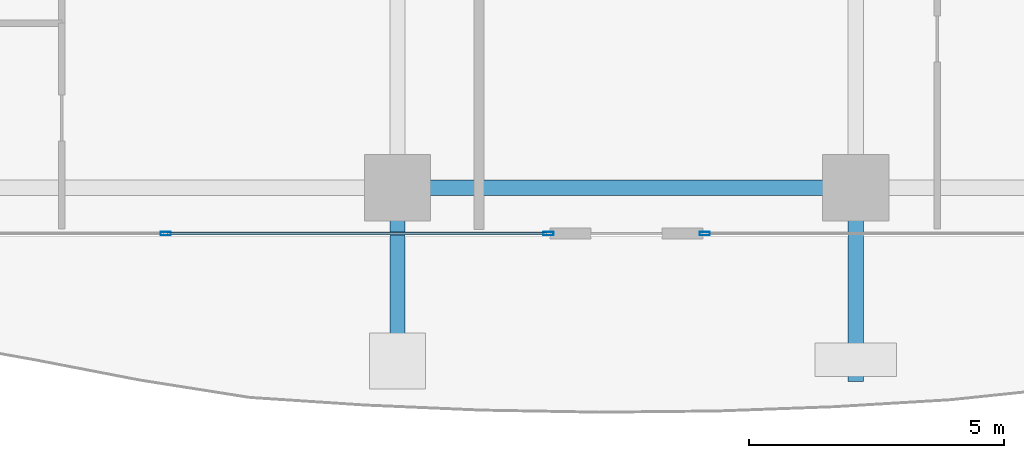
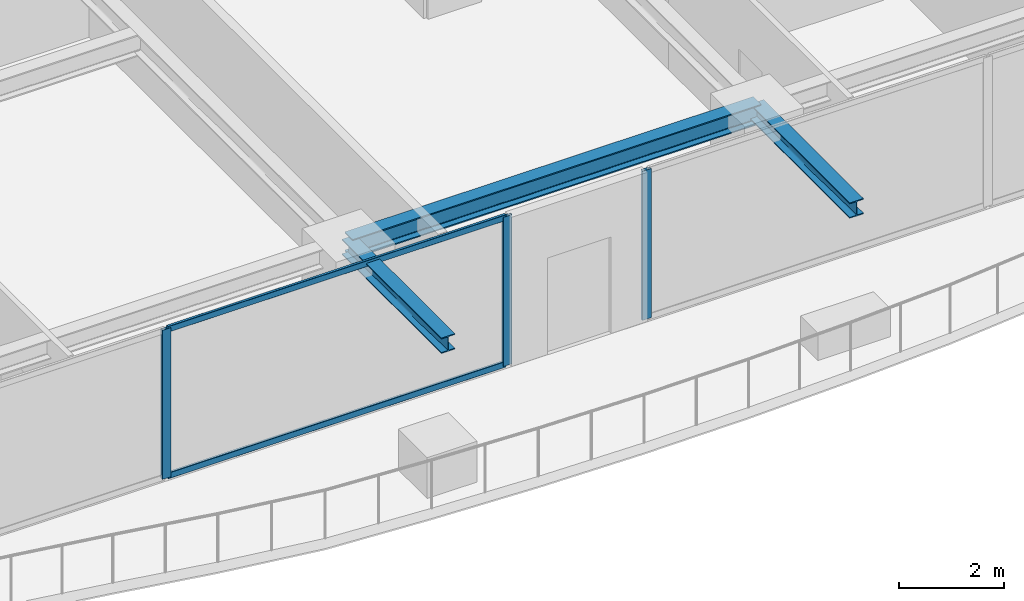
# One storey, part 5 of 34: 5 members, 3 beams, 2 elements without a shape of their own.
"""IFC4 building model written with IfcOpenShell, lengths in metres."""

import ifcopenshell
import ifcopenshell.guid

model = None  # the IFC model being written
_history = None  # IfcOwnerHistory: only IFC2X3 demands one
_inside = {}  # id of a spatial element -> (the spatial element, [elements in it])
_under = {}  # id of a project, library or spatial element -> (it, [spatial elements below it])
_declared = {}  # id of a project -> (the project, [libraries it declares])
_typed = {}  # id of a type object -> (the type object, [elements of that type])
_made_of = {}  # id of a material, layer set ... -> (it, [elements and type objects made of it])


def new_model(schema):
    """Start an empty IFC model of exactly this schema.

    Asked for "IFC4X3", IfcOpenShell would pick the latest addendum, in which some entities
    have other attributes; the version numbers below select the first issue.
    IFC2X3 requires an IfcOwnerHistory on every rooted entity: one is made here for all.
    """
    global model, _history
    if schema == "IFC4X3":
        model = ifcopenshell.file(schema_version=(4, 3, 0, 0))
    else:
        model = ifcopenshell.file(schema=schema)
    _inside.clear()
    _under.clear()
    _declared.clear()
    _typed.clear()
    _made_of.clear()
    _history = None
    if model.schema == "IFC2X3":
        org = make("IfcOrganization", Name="unknown")
        user = make(
            "IfcPersonAndOrganization",
            ThePerson=make("IfcPerson", FamilyName="unknown"),
            TheOrganization=org,
        )
        app = make(
            "IfcApplication",
            ApplicationDeveloper=org,
            Version="unknown",
            ApplicationFullName="unknown",
            ApplicationIdentifier="unknown",
        )
        _history = make(
            "IfcOwnerHistory",
            OwningUser=user,
            OwningApplication=app,
            ChangeAction="ADDED",
            CreationDate=0,
        )
    return model


def make(cls, **values):
    """One entity of the class cls with the attributes given. An attribute that is None is left unset."""
    return model.create_entity(
        cls, **{name: value for name, value in values.items() if value is not None}
    )


def rooted(cls, **values):
    """An entity with a GlobalId (a new one), such as an element, a storey or a relation."""
    return make(cls, GlobalId=ifcopenshell.guid.new(), OwnerHistory=_history, **values)


def si_unit(unit_type, name, prefix=None):
    """IfcSIUnit, for example si_unit("LENGTHUNIT", "METRE", prefix="MILLI")."""
    return make("IfcSIUnit", UnitType=unit_type, Prefix=prefix, Name=name)


def assignment(units):
    """IfcUnitAssignment: the units of a project."""
    return None if units is None else make("IfcUnitAssignment", Units=units)


def point(xyz):
    """IfcCartesianPoint."""
    return None if xyz is None else make("IfcCartesianPoint", Coordinates=xyz)


def direction(xyz):
    """IfcDirection."""
    return None if xyz is None else make("IfcDirection", DirectionRatios=xyz)


def frame(location, z_axis=None, x_axis=None):
    """IfcAxis2Placement3D, a coordinate frame: its origin and axes. An axis left out is left unset."""
    return make(
        "IfcAxis2Placement3D",
        Location=point(location),
        Axis=direction(z_axis),
        RefDirection=direction(x_axis),
    )


def frame_2d(location, x_axis=None):
    """IfcAxis2Placement2D, a coordinate frame in the plane: its origin and x axis."""
    return make(
        "IfcAxis2Placement2D", Location=point(location), RefDirection=direction(x_axis)
    )


def origin():
    """The frame at (0, 0, 0) with its axes left unset."""
    return frame((0.0, 0.0, 0.0))


def origin_2d():
    """The frame at (0, 0) in the plane with its x axis left unset."""
    return frame_2d((0.0, 0.0))


def place(relative_to, where):
    """IfcLocalPlacement: puts the frame where relative to a parent placement (None: the world)."""
    return make(
        "IfcLocalPlacement", PlacementRelTo=relative_to, RelativePlacement=where
    )


def context(
    kind, dimensions, precision=None, world=None, true_north=None, identifier=None
):
    """IfcGeometricRepresentationContext, for example the 3D "Model" context."""
    return make(
        "IfcGeometricRepresentationContext",
        ContextIdentifier=identifier,
        ContextType=kind,
        CoordinateSpaceDimension=dimensions,
        Precision=precision,
        WorldCoordinateSystem=world,
        TrueNorth=true_north,
    )


def subcontext(parent, identifier, kind, view, scale=None):
    """IfcGeometricRepresentationSubContext, for example "Body" below "Model"."""
    return make(
        "IfcGeometricRepresentationSubContext",
        ContextIdentifier=identifier,
        ContextType=kind,
        ParentContext=parent,
        TargetScale=scale,
        TargetView=view,
    )


def project(units=None, contexts=None):
    """IfcProject with its units and contexts."""
    return rooted(
        "IfcProject",
        Name="project",
        RepresentationContexts=contexts,
        UnitsInContext=assignment(units),
    )


def spatial(cls, under=None, at=None, **own):
    """A site, building, storey or space (cls), placed at a placement, below another one or the project."""
    s = rooted(cls, ObjectPlacement=at, **own)
    if under is not None:
        _under.setdefault(under.id(), (under, []))[1].append(s)
    return s


def profile(cls, at=None, kind="AREA", **sizes):
    """A parametric profile (cls). Its sizes go by their IFC names, for example OverallWidth=200.0."""
    return make(cls, ProfileType=kind, Position=at, **sizes)


def hollow_rectangle(**sizes):
    """IfcRectangleHollowProfileDef."""
    return profile("IfcRectangleHollowProfileDef", **sizes)


def i_section(**sizes):
    """IfcIShapeProfileDef."""
    return profile("IfcIShapeProfileDef", **sizes)


def extrude(swept, where, along, depth):
    """IfcExtrudedAreaSolid: the profile swept, set in the frame where, extruded along a direction by depth."""
    return make(
        "IfcExtrudedAreaSolid",
        SweptArea=swept,
        Position=where,
        ExtrudedDirection=direction(along),
        Depth=depth,
    )


def shape(context_of_items, identifier, shape_type, items):
    """IfcShapeRepresentation: the items that make up one representation, for example the "Body"."""
    return make(
        "IfcShapeRepresentation",
        ContextOfItems=context_of_items,
        RepresentationIdentifier=identifier,
        RepresentationType=shape_type,
        Items=items,
    )


def source(mapping_origin, context_of_items, identifier, shape_type, items):
    """IfcRepresentationMap: a shape defined once, which mapped items show again and again."""
    return make(
        "IfcRepresentationMap",
        MappingOrigin=mapping_origin,
        MappedRepresentation=shape(context_of_items, identifier, shape_type, items),
    )


def transform(
    local_origin,
    x_axis=None,
    y_axis=None,
    z_axis=None,
    scale=None,
    scale2=None,
    scale3=None,
    uniform=True,
):
    """IfcCartesianTransformationOperator3D, or its non-uniform kind. x_axis, y_axis, z_axis: its Axis1, 2, 3."""
    if uniform:
        return make(
            "IfcCartesianTransformationOperator3D",
            Axis1=direction(x_axis),
            Axis2=direction(y_axis),
            LocalOrigin=point(local_origin),
            Scale=scale,
            Axis3=direction(z_axis),
        )
    return make(
        "IfcCartesianTransformationOperator3DnonUniform",
        Axis1=direction(x_axis),
        Axis2=direction(y_axis),
        LocalOrigin=point(local_origin),
        Scale=scale,
        Axis3=direction(z_axis),
        Scale2=scale2,
        Scale3=scale3,
    )


def mapped(mapping_source, mapping_target):
    """IfcMappedItem: shows the shape of a source again, moved by a transform."""
    return make(
        "IfcMappedItem", MappingSource=mapping_source, MappingTarget=mapping_target
    )


def material(Name=None, Category=None):
    """IfcMaterial."""
    return make("IfcMaterial", Name=Name, Category=Category)


def layer(
    of_material, thickness, ventilated=None, Name=None, Category=None, Priority=None
):
    """IfcMaterialLayer: one layer of a wall or slab, of a material (None: an air gap)."""
    return make(
        "IfcMaterialLayer",
        Material=of_material,
        LayerThickness=thickness,
        IsVentilated=ventilated,
        Name=Name,
        Category=Category,
        Priority=Priority,
    )


def layer_set(layers, Name=None):
    """IfcMaterialLayerSet."""
    return make("IfcMaterialLayerSet", MaterialLayers=layers, LayerSetName=Name)


def material_profile(
    of_material, cross_section, Name=None, Category=None, Priority=None
):
    """IfcMaterialProfile: a cross section and its material."""
    return make(
        "IfcMaterialProfile",
        Name=Name,
        Material=of_material,
        Profile=cross_section,
        Priority=Priority,
        Category=Category,
    )


def profile_set(profiles, Name=None, composite=None):
    """IfcMaterialProfileSet."""
    return make(
        "IfcMaterialProfileSet",
        Name=Name,
        MaterialProfiles=profiles,
        CompositeProfile=composite,
    )


def made_of(thing, what):
    """Note that an element or type object is made of a material, layer set ...; save() writes the relation."""
    if what is not None:
        _made_of.setdefault(what.id(), (what, []))[1].append(thing)
    return thing


def type_object(cls, material=None, **own):
    """A type object (cls), such as IfcWallType, which elements share."""
    return made_of(rooted(cls, **own), material)


def element(
    cls,
    number,
    at=None,
    inside=None,
    cuts=None,
    type_object=None,
    material=None,
    context=None,
    identifier="Body",
    shape_type=None,
    held_by="IfcProductDefinitionShape",
    body=None,
    shapes=None,
    **own,
):
    """One element of the class cls, such as IfcWall. Its Tag is "e" and its number.

    at: its placement. inside: the storey or other place that contains it. cuts: it is an
    opening in that element (IfcRelVoidsElement). A single representation is given by context,
    identifier, shape_type and body (its items); several are given by shapes. held_by: the class
    of the entity that holds the representations. save() writes the other relations.
    """
    e = rooted(cls, Tag="e%d" % number, ObjectPlacement=at, **own)
    if body is not None:
        shapes = [shape(context, identifier, shape_type, body)]
    if shapes is not None:
        e.Representation = make(held_by, Representations=shapes)
    if inside is not None:
        _inside.setdefault(inside.id(), (inside, []))[1].append(e)
    if cuts is not None:
        rooted(
            "IfcRelVoidsElement", RelatingBuildingElement=cuts, RelatedOpeningElement=e
        )
    if type_object is not None:
        _typed.setdefault(type_object.id(), (type_object, []))[1].append(e)
    return made_of(e, material)


def aggregate(whole, parts):
    """IfcRelAggregates: a whole, such as a stair, and the parts it consists of."""
    return rooted("IfcRelAggregates", RelatingObject=whole, RelatedObjects=parts)


def save(model, path):
    """Write the relations noted so far, then the file.

    IfcRelAggregates (storeys below a building ...), IfcRelContainedInSpatialStructure (elements
    in a storey), IfcRelDefinesByType, IfcRelAssociatesMaterial and IfcRelDeclares: one each for
    every whole, place, type object, material and project.
    """
    for whole, parts in _under.values():
        aggregate(whole, parts)
    for where, things in _inside.values():
        rooted(
            "IfcRelContainedInSpatialStructure",
            RelatedElements=things,
            RelatingStructure=where,
        )
    for kind, things in _typed.values():
        rooted("IfcRelDefinesByType", RelatedObjects=things, RelatingType=kind)
    for what, things in _made_of.values():
        rooted("IfcRelAssociatesMaterial", RelatedObjects=things, RelatingMaterial=what)
    for by, libraries in _declared.values():
        rooted("IfcRelDeclares", RelatingContext=by, RelatedDefinitions=libraries)
    model.write(path)


model = new_model("IFC4")

# Units and contexts
model_context = context("Model", 3, precision=1e-05, world=origin(), true_north=direction((0.0, 1.0)))
body_context = subcontext(model_context, "Body", "Model", "MODEL_VIEW")
ifc_project = project(units=[si_unit("LENGTHUNIT", "METRE"), si_unit("AREAUNIT", "SQUARE_METRE"), si_unit("VOLUMEUNIT", "CUBIC_METRE"), si_unit("PLANEANGLEUNIT", "RADIAN"), si_unit("MASSUNIT", "GRAM", prefix="KILO")], contexts=[model_context])

# Site, building, storey
site_placement = place(None, origin())
site = spatial("IfcSite", under=ifc_project, at=site_placement, CompositionType="ELEMENT")
building_placement = place(site_placement, origin())
building = spatial("IfcBuilding", under=site, at=building_placement, Name="Serunith Strait Residences", CompositionType="ELEMENT")
storey_placement = place(building_placement, frame((0.0, 0.0, 142.64990234375)))
storey = spatial("IfcBuildingStorey", under=building, at=storey_placement, Name="L35", CompositionType="ELEMENT", Elevation=142.64990234375)

# Beams
ifc_material_1 = material(Name="Steel S355J2", Category="steel")
ifc_material_profile_1 = material_profile(ifc_material_1, i_section(OverallWidth=0.300048828125, OverallDepth=0.449951171875, WebThickness=0.013916015625, FlangeThickness=0.02587890625, FilletRadius=0.027099609375, at=origin_2d()), Name="HEB 450")
ifc_profile_set_1 = profile_set([ifc_material_profile_1], Name="Steel S355J2")
beam_type_1 = type_object("IfcBeamType", Name="BM-HEB450", PredefinedType="BEAM", material=ifc_profile_set_1)
shared_shape_1 = source(origin(), body_context, "Body", "SweptSolid", [
    extrude(i_section(OverallWidth=0.300048828125, OverallDepth=0.449951171875, WebThickness=0.013916015625, FlangeThickness=0.02587890625, FilletRadius=0.027099609375, at=origin_2d()), origin(), (0.0, 0.0, 1.0), 9.0),
])
beam_placement = place(storey_placement, frame((27.89990234375, 2.300048828125, 3.26220703125), z_axis=(1.0, 0.0, 0.0), x_axis=(0.0, 1.0, 0.0)))
element("IfcBeam", 1, at=beam_placement, inside=storey, type_object=beam_type_1, Name="L35 Perimeter Ring Beam 02", PredefinedType="BEAM", context=body_context, shape_type="MappedRepresentation", body=[
    mapped(shared_shape_1, transform((0.0, 0.0, 0.0), scale=1.0)),
])
ifc_material_profile_2 = material_profile(ifc_material_1, i_section(OverallWidth=0.300048828125, OverallDepth=0.360107421875, WebThickness=0.012451171875, FlangeThickness=0.0224609375, FilletRadius=0.027099609375, at=origin_2d()), Name="HEB 360")
ifc_profile_set_2 = profile_set([ifc_material_profile_2], Name="Steel S355J2")
beam_type_2 = type_object("IfcBeamType", Name="BM-HEB360", PredefinedType="BEAM", material=ifc_profile_set_2)
shared_shape_2 = source(origin(), body_context, "Body", "SweptSolid", [
    extrude(i_section(OverallWidth=0.300048828125, OverallDepth=0.360107421875, WebThickness=0.012451171875, FlangeThickness=0.0224609375, FilletRadius=0.027099609375, at=origin_2d()), origin(), (0.0, 0.0, 1.0), 3.800048828125),
])
for number, where, z_axis, x_axis, name in (
    (2, (27.89990234375, 2.300048828125, 3.277099609375), (0.0, -1.0, 0.0), (1.0, 0.0, 0.0), "L36 Cantilevered Balcony Rib TC-S2"),
    (3, (36.89990234375, 2.300048828125, 3.277099609375), (0.0, -1.0, 0.0), (1.0, 0.0, 0.0), "L36 Cantilevered Balcony Rib TC-S3"),
):
    element("IfcBeam", number, at=place(storey_placement, frame(where, z_axis=z_axis, x_axis=x_axis)), inside=storey, type_object=beam_type_2, Name=name, PredefinedType="BEAM", context=body_context, shape_type="MappedRepresentation", body=[
        mapped(shared_shape_2, transform((0.0, 0.0, 0.0), scale=1.0)),
    ])

# Curtain wall, members
ifc_material_2 = material(Name="Pale-Champagne Anodised Aluminium", Category="aluminium")
ifc_layer = layer(ifc_material_2, 0.199951171875, Name="Pale-Champagne Anodised Aluminium")
ifc_layer_set = layer_set([ifc_layer], Name="Pale-Champagne Anodised Aluminium")
curtain_wall_type = type_object("IfcCurtainWallType", Name="CW-SYS2", PredefinedType="NOTDEFINED", material=ifc_layer_set)
curtain_wall_1_placement = place(storey_placement, origin())
curtain_wall_1 = element("IfcCurtainWall", 4, at=curtain_wall_1_placement, inside=storey, type_object=curtain_wall_type, Name="L35 S Unitised Fritted Curtain Wall", PredefinedType="NOTDEFINED")
ifc_material_profile_3 = material_profile(ifc_material_2, hollow_rectangle(XDim=0.070068359375, YDim=0.199951171875, WallThickness=0.00390625, InnerFilletRadius=0.006103515625, OuterFilletRadius=0.010009765625, at=origin_2d()), Name="ALU 200x70x4")
ifc_profile_set_3 = profile_set([ifc_material_profile_3], Name="Pale-Champagne Anodised Aluminium")
member_type_1 = type_object("IfcMemberType", Name="CW-SYS2-MULL", PredefinedType="MULLION", material=ifc_profile_set_3)
shared_shape_3 = source(origin(), body_context, "Body", "SweptSolid", [
    extrude(hollow_rectangle(XDim=0.070068359375, YDim=0.199951171875, WallThickness=0.00390625, InnerFilletRadius=0.006103515625, OuterFilletRadius=0.010009765625, at=origin_2d()), origin(), (0.0, 0.0, 1.0), 3.47509765625),
])
member_1_placement = place(storey_placement, frame((23.35009765625, 1.39990234375, 0.0), z_axis=(0.0, 0.0, 1.0), x_axis=(0.0, 1.0, 0.0)))
member_1 = element("IfcMember", 5, at=member_1_placement, type_object=member_type_1, Name="CW-2 mullion 2", PredefinedType="MULLION", context=body_context, shape_type="MappedRepresentation", body=[
    mapped(shared_shape_3, transform((0.0, 0.0, 0.0), scale=1.0)),
])
member_2_placement = place(storey_placement, frame((30.864990234375, 1.39990234375, 0.0), z_axis=(0.0, 0.0, 1.0), x_axis=(0.0, 1.0, 0.0)))
member_2 = element("IfcMember", 6, at=member_2_placement, type_object=member_type_1, Name="CW-2 mullion 3", PredefinedType="MULLION", context=body_context, shape_type="MappedRepresentation", body=[
    mapped(shared_shape_3, transform((0.0, 0.0, 0.0), scale=1.0)),
])

# Curtain wall, member
curtain_wall_2_placement = place(storey_placement, origin())
curtain_wall_2 = element("IfcCurtainWall", 7, at=curtain_wall_2_placement, inside=storey, type_object=curtain_wall_type, Name="L35 S Unitised Fritted Curtain Wall", PredefinedType="NOTDEFINED")
member_3_placement = place(storey_placement, frame((33.93505859375, 1.39990234375, 0.0), z_axis=(0.0, 0.0, 1.0), x_axis=(0.0, 1.0, 0.0)))
member_3 = element("IfcMember", 8, at=member_3_placement, type_object=member_type_1, Name="CW-2 mullion 1", PredefinedType="MULLION", context=body_context, shape_type="MappedRepresentation", body=[
    mapped(shared_shape_3, transform((0.0, 0.0, 0.0), scale=1.0)),
])
aggregate(curtain_wall_2, [member_3])

# Member
ifc_material_profile_4 = material_profile(ifc_material_2, hollow_rectangle(XDim=0.06005859375, YDim=0.139892578125, WallThickness=0.00341796875, InnerFilletRadius=0.00537109375, OuterFilletRadius=0.0087890625, at=origin_2d()), Name="ALU 140x60x3.5")
ifc_profile_set_4 = profile_set([ifc_material_profile_4], Name="Pale-Champagne Anodised Aluminium")
member_type_2 = type_object("IfcMemberType", Name="CW-SYS2-TRAN", PredefinedType="USERDEFINED", material=ifc_profile_set_4)
shared_shape_4 = source(origin(), body_context, "Body", "SweptSolid", [
    extrude(hollow_rectangle(XDim=0.06005859375, YDim=0.139892578125, WallThickness=0.00341796875, InnerFilletRadius=0.00537109375, OuterFilletRadius=0.0087890625, at=origin_2d()), origin(), (0.0, 0.0, 1.0), 7.445068359375),
])
member_4_placement = place(storey_placement, frame((23.385009765625, 1.39990234375, 0.030029296875), z_axis=(1.0, 0.0, 0.0), x_axis=(0.0, 1.0, 0.0)))
member_4 = element("IfcMember", 9, at=member_4_placement, type_object=member_type_2, Name="CW-2 transom 2.1", ObjectType="TRANSOM", PredefinedType="USERDEFINED", context=body_context, shape_type="MappedRepresentation", body=[
    mapped(shared_shape_4, transform((0.0, 0.0, 0.0), scale=1.0)),
])

member_5_placement = place(storey_placement, frame((23.385009765625, 1.39990234375, 3.445068359375), z_axis=(1.0, 0.0, 0.0), x_axis=(0.0, 1.0, 0.0)))
member_5 = element("IfcMember", 10, at=member_5_placement, type_object=member_type_2, Name="CW-2 transom 2.2", ObjectType="TRANSOM", PredefinedType="USERDEFINED", context=body_context, shape_type="MappedRepresentation", body=[
    mapped(shared_shape_4, transform((0.0, 0.0, 0.0), scale=1.0)),
])

aggregate(curtain_wall_1, [member_1, member_2, member_4, member_5])

save(model, "model.ifc")
